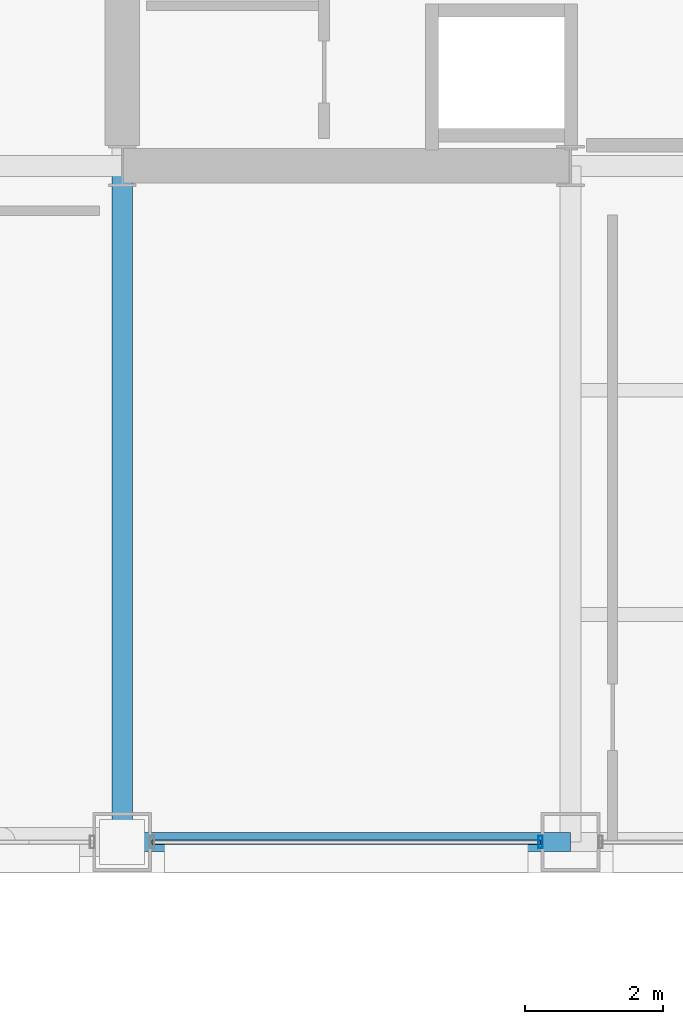
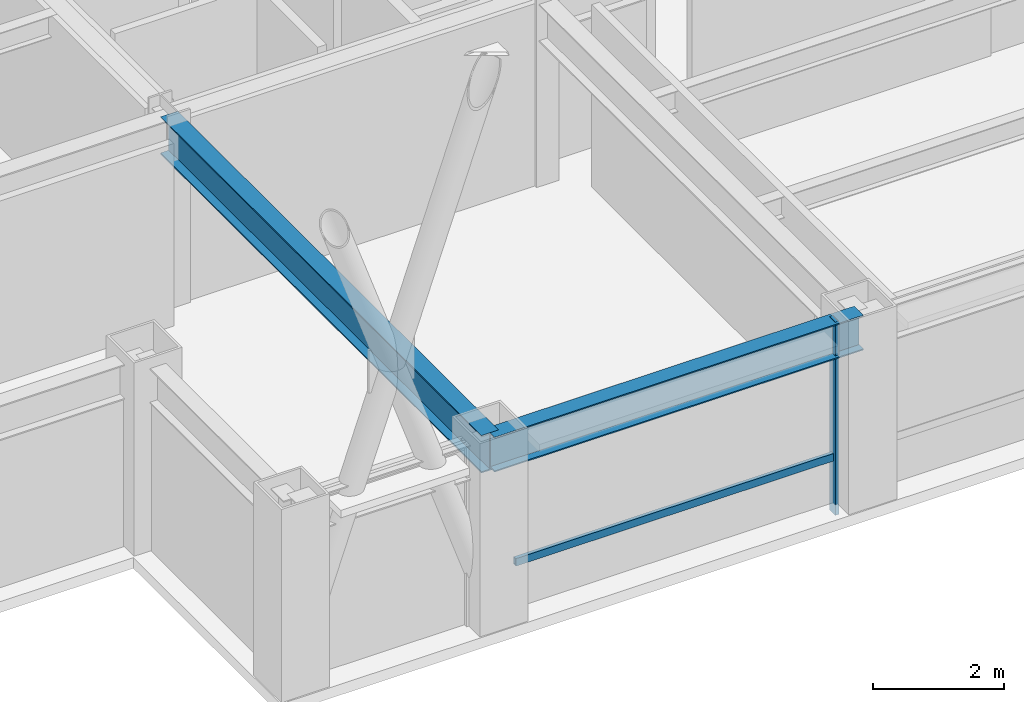
# One storey, part 3 of 34: 2 beams, 2 members, 1 element without a shape of its own.
"""IFC4 building model written with IfcOpenShell, lengths in metres."""

from ifc_helpers import new_model, si_unit, direction, frame, origin, origin_2d, place, context, subcontext, project, spatial, hollow_rectangle, i_section, extrude, material, layer, layer_set, material_profile, profile_set, type_object, element, aggregate, save


model = new_model("IFC4")

# Units and contexts
model_context = context("Model", 3, precision=1e-05, world=origin(), true_north=direction((0.0, 1.0)))
body_context = subcontext(model_context, "Body", "Model", "MODEL_VIEW")
ifc_project = project(units=[si_unit("LENGTHUNIT", "METRE"), si_unit("AREAUNIT", "SQUARE_METRE"), si_unit("VOLUMEUNIT", "CUBIC_METRE"), si_unit("PLANEANGLEUNIT", "RADIAN"), si_unit("MASSUNIT", "GRAM", prefix="KILO")], contexts=[model_context])

# Site, building, storey
site_placement = place(None, origin())
site = spatial("IfcSite", under=ifc_project, at=site_placement, CompositionType="ELEMENT")
building_placement = place(site_placement, origin())
building = spatial("IfcBuilding", under=site, at=building_placement, Name="Brelmoor Portico Tower", CompositionType="ELEMENT")
storey_placement = place(building_placement, frame((0.0, 0.0, 99.0)))
storey = spatial("IfcBuildingStorey", under=building, at=storey_placement, Name="L25", CompositionType="ELEMENT", Elevation=99.0)

# Beams
ifc_material_1 = material(Name="Steel Q355B", Category="steel")
ifc_material_profile_1 = material_profile(ifc_material_1, i_section(OverallWidth=0.300048828125, OverallDepth=0.699951171875, WebThickness=0.012939453125, FlangeThickness=0.02392578125, at=origin_2d()), Name="HN 700x300x13x24")
ifc_profile_set_1 = profile_set([ifc_material_profile_1], Name="Steel Q355B")
beam_type_1 = type_object("IfcBeamType", Name="BM-PG-700", PredefinedType="BEAM", material=ifc_profile_set_1)
beam_1_placement = place(storey_placement, frame((-14.550048828125, -19.550048828125, 3.050048828125), z_axis=(0.0, 1.0, 0.0), x_axis=(-1.0, 0.0, 0.0)))
element("IfcBeam", 1, at=beam_1_placement, inside=storey, type_object=beam_type_1, Name="L25 Primary Floor Girder PG-01", PredefinedType="BEAM", context=body_context, shape_type="SweptSolid", body=[
    extrude(i_section(OverallWidth=0.300048828125, OverallDepth=0.699951171875, WebThickness=0.012939453125, FlangeThickness=0.02392578125, at=origin_2d()), origin(), (0.0, 0.0, 1.0), 9.800048828125),
])
ifc_material_profile_2 = material_profile(ifc_material_1, i_section(OverallWidth=0.280029296875, OverallDepth=0.64990234375, WebThickness=0.012939453125, FlangeThickness=0.02197265625, at=origin_2d()), Name="HN 650x280x13x22")
ifc_profile_set_2 = profile_set([ifc_material_profile_2], Name="Steel Q355B")
beam_type_2 = type_object("IfcBeamType", Name="BM-SP-650", PredefinedType="SPANDREL", material=ifc_profile_set_2)
beam_2_placement = place(storey_placement, frame((-14.550048828125, -19.550048828125, 3.074951171875), z_axis=(1.0, 0.0, 0.0), x_axis=(0.0, 1.0, 0.0)))
element("IfcBeam", 2, at=beam_2_placement, inside=storey, type_object=beam_type_2, Name="L25 Perimeter Spandrel Beam SP-02", PredefinedType="SPANDREL", context=body_context, shape_type="SweptSolid", body=[
    extrude(i_section(OverallWidth=0.280029296875, OverallDepth=0.64990234375, WebThickness=0.012939453125, FlangeThickness=0.02197265625, at=origin_2d()), origin(), (0.0, 0.0, 1.0), 6.5),
])

# Curtain wall, members
ifc_material_2 = material(Name="Anodised Aluminium Alloy 6063-T6", Category="aluminium")
ifc_layer = layer(ifc_material_2, 0.179931640625)
ifc_layer_set = layer_set([ifc_layer], Name="Anodised Aluminium Alloy 6063-T6")
curtain_wall_type = type_object("IfcCurtainWallType", Name="CW-TOWER-Z2", PredefinedType="NOTDEFINED", material=ifc_layer_set)
curtain_wall_placement = place(storey_placement, origin())
curtain_wall = element("IfcCurtainWall", 3, at=curtain_wall_placement, inside=storey, type_object=curtain_wall_type, Name="L25 Curtain Wall CW-L25-1L-2", PredefinedType="NOTDEFINED")
ifc_material_profile_3 = material_profile(ifc_material_2, hollow_rectangle(XDim=0.06494140625, YDim=0.179931640625, WallThickness=0.00390625, at=origin_2d()), Name="ALU MULLION 65x180")
ifc_profile_set_3 = profile_set([ifc_material_profile_3], Name="Anodised Aluminium Alloy 6063-T6")
member_type_1 = type_object("IfcMemberType", Name="MB-CW-MULL-180", PredefinedType="MULLION", material=ifc_profile_set_3)
member_1_placement = place(storey_placement, frame((-8.485107421875, -19.550048828125, -0.199951171875), z_axis=(0.0, 0.0, 1.0), x_axis=(1.0, 0.0, 0.0)))
member_1 = element("IfcMember", 4, at=member_1_placement, type_object=member_type_1, Name="CW-L25-1L-2 Mullion 01", PredefinedType="MULLION", context=body_context, shape_type="SweptSolid", body=[
    extrude(hollow_rectangle(XDim=0.06494140625, YDim=0.179931640625, WallThickness=0.00390625, at=origin_2d()), origin(), (0.0, 0.0, 1.0), 3.599853515625),
])
ifc_material_profile_4 = material_profile(ifc_material_2, hollow_rectangle(XDim=0.06494140625, YDim=0.139892578125, WallThickness=0.00390625, at=origin_2d()), Name="ALU TRANSOM 65x140")
ifc_profile_set_4 = profile_set([ifc_material_profile_4], Name="Anodised Aluminium Alloy 6063-T6")
member_type_2 = type_object("IfcMemberType", Name="MB-CW-TRAN-140", PredefinedType="USERDEFINED", material=ifc_profile_set_4)
member_2_placement = place(storey_placement, frame((-14.114990234375, -19.550048828125, 0.85009765625), z_axis=(1.0, 0.0, 0.0), x_axis=(0.0, 1.0, 0.0)))
member_2 = element("IfcMember", 5, at=member_2_placement, type_object=member_type_2, Name="CW-L25-1L-2 Transom 1-00", ObjectType="TRANSOM", PredefinedType="USERDEFINED", context=body_context, shape_type="SweptSolid", body=[
    extrude(hollow_rectangle(XDim=0.06494140625, YDim=0.139892578125, WallThickness=0.00390625, at=origin_2d()), origin(), (0.0, 0.0, 1.0), 5.6298828125),
])
aggregate(curtain_wall, [member_1, member_2])

save(model, "model.ifc")
